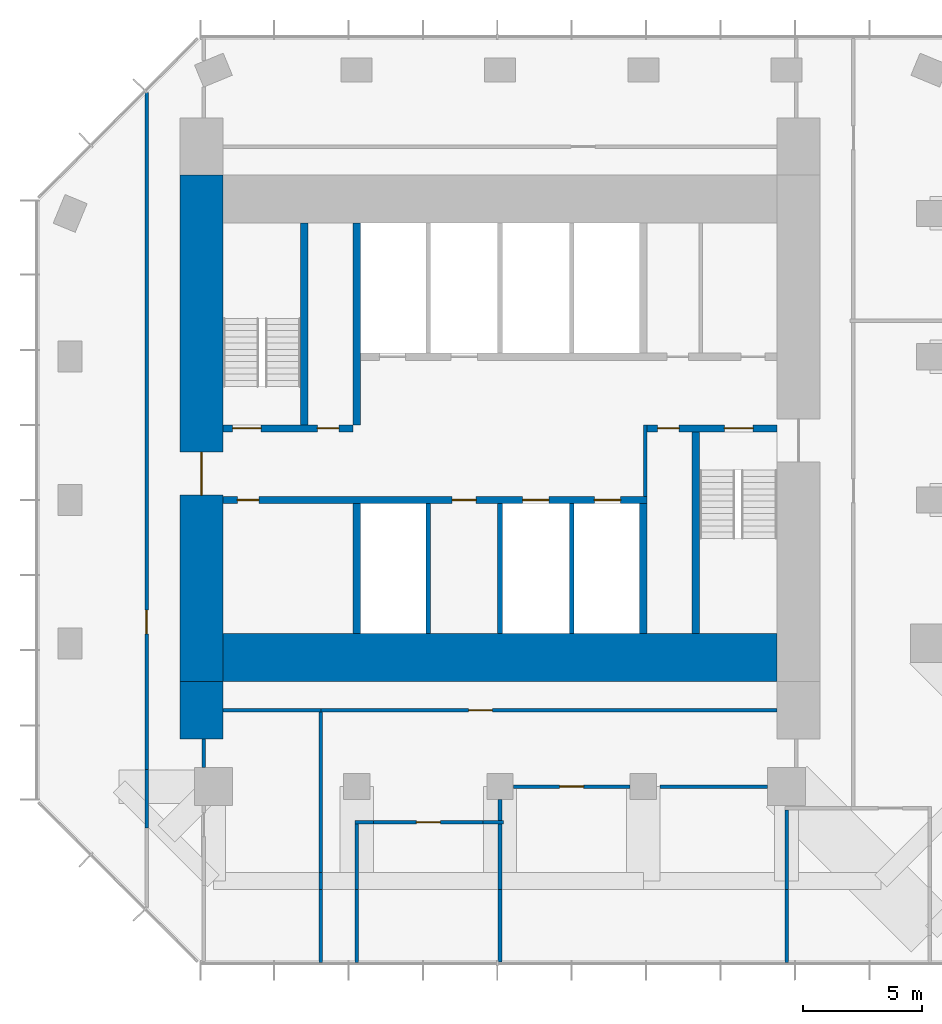
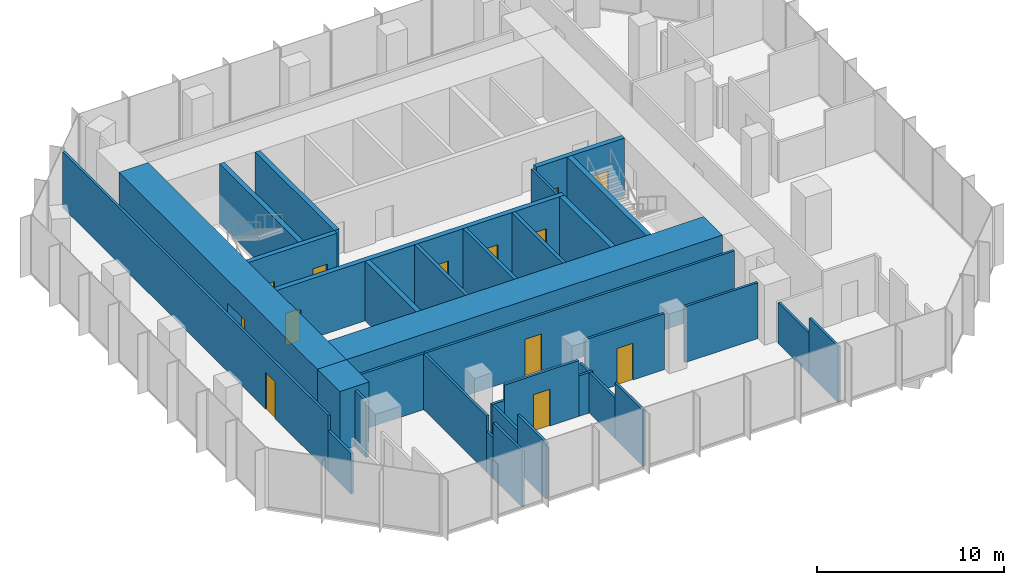
# One storey, part 8 of 11: 35 walls, 13 doors, 13 openings.
"""IFC4 building model written with IfcOpenShell, lengths in metres."""

import ifcopenshell
import ifcopenshell.guid

model = None  # the IFC model being written
_history = None  # IfcOwnerHistory: only IFC2X3 demands one
_inside = {}  # id of a spatial element -> (the spatial element, [elements in it])
_under = {}  # id of a project, library or spatial element -> (it, [spatial elements below it])
_declared = {}  # id of a project -> (the project, [libraries it declares])
_typed = {}  # id of a type object -> (the type object, [elements of that type])
_made_of = {}  # id of a material, layer set ... -> (it, [elements and type objects made of it])


def new_model(schema):
    """Start an empty IFC model of exactly this schema.

    Asked for "IFC4X3", IfcOpenShell would pick the latest addendum, in which some entities
    have other attributes; the version numbers below select the first issue.
    IFC2X3 requires an IfcOwnerHistory on every rooted entity: one is made here for all.
    """
    global model, _history
    if schema == "IFC4X3":
        model = ifcopenshell.file(schema_version=(4, 3, 0, 0))
    else:
        model = ifcopenshell.file(schema=schema)
    _inside.clear()
    _under.clear()
    _declared.clear()
    _typed.clear()
    _made_of.clear()
    _history = None
    if model.schema == "IFC2X3":
        org = make("IfcOrganization", Name="unknown")
        user = make(
            "IfcPersonAndOrganization",
            ThePerson=make("IfcPerson", FamilyName="unknown"),
            TheOrganization=org,
        )
        app = make(
            "IfcApplication",
            ApplicationDeveloper=org,
            Version="unknown",
            ApplicationFullName="unknown",
            ApplicationIdentifier="unknown",
        )
        _history = make(
            "IfcOwnerHistory",
            OwningUser=user,
            OwningApplication=app,
            ChangeAction="ADDED",
            CreationDate=0,
        )
    return model


def make(cls, **values):
    """One entity of the class cls with the attributes given. An attribute that is None is left unset."""
    return model.create_entity(
        cls, **{name: value for name, value in values.items() if value is not None}
    )


def rooted(cls, **values):
    """An entity with a GlobalId (a new one), such as an element, a storey or a relation."""
    return make(cls, GlobalId=ifcopenshell.guid.new(), OwnerHistory=_history, **values)


def si_unit(unit_type, name, prefix=None):
    """IfcSIUnit, for example si_unit("LENGTHUNIT", "METRE", prefix="MILLI")."""
    return make("IfcSIUnit", UnitType=unit_type, Prefix=prefix, Name=name)


def assignment(units):
    """IfcUnitAssignment: the units of a project."""
    return None if units is None else make("IfcUnitAssignment", Units=units)


def point(xyz):
    """IfcCartesianPoint."""
    return None if xyz is None else make("IfcCartesianPoint", Coordinates=xyz)


def direction(xyz):
    """IfcDirection."""
    return None if xyz is None else make("IfcDirection", DirectionRatios=xyz)


def frame(location, z_axis=None, x_axis=None):
    """IfcAxis2Placement3D, a coordinate frame: its origin and axes. An axis left out is left unset."""
    return make(
        "IfcAxis2Placement3D",
        Location=point(location),
        Axis=direction(z_axis),
        RefDirection=direction(x_axis),
    )


def frame_2d(location, x_axis=None):
    """IfcAxis2Placement2D, a coordinate frame in the plane: its origin and x axis."""
    return make(
        "IfcAxis2Placement2D", Location=point(location), RefDirection=direction(x_axis)
    )


def origin():
    """The frame at (0, 0, 0) with its axes left unset."""
    return frame((0.0, 0.0, 0.0))


def place(relative_to, where):
    """IfcLocalPlacement: puts the frame where relative to a parent placement (None: the world)."""
    return make(
        "IfcLocalPlacement", PlacementRelTo=relative_to, RelativePlacement=where
    )


def context(
    kind, dimensions, precision=None, world=None, true_north=None, identifier=None
):
    """IfcGeometricRepresentationContext, for example the 3D "Model" context."""
    return make(
        "IfcGeometricRepresentationContext",
        ContextIdentifier=identifier,
        ContextType=kind,
        CoordinateSpaceDimension=dimensions,
        Precision=precision,
        WorldCoordinateSystem=world,
        TrueNorth=true_north,
    )


def subcontext(parent, identifier, kind, view, scale=None):
    """IfcGeometricRepresentationSubContext, for example "Body" below "Model"."""
    return make(
        "IfcGeometricRepresentationSubContext",
        ContextIdentifier=identifier,
        ContextType=kind,
        ParentContext=parent,
        TargetScale=scale,
        TargetView=view,
    )


def project(units=None, contexts=None):
    """IfcProject with its units and contexts."""
    return rooted(
        "IfcProject",
        Name="project",
        RepresentationContexts=contexts,
        UnitsInContext=assignment(units),
    )


def spatial(cls, under=None, at=None, **own):
    """A site, building, storey or space (cls), placed at a placement, below another one or the project."""
    s = rooted(cls, ObjectPlacement=at, **own)
    if under is not None:
        _under.setdefault(under.id(), (under, []))[1].append(s)
    return s


def profile(cls, at=None, kind="AREA", **sizes):
    """A parametric profile (cls). Its sizes go by their IFC names, for example OverallWidth=200.0."""
    return make(cls, ProfileType=kind, Position=at, **sizes)


def rectangle(**sizes):
    """IfcRectangleProfileDef."""
    return profile("IfcRectangleProfileDef", **sizes)


def extrude(swept, where, along, depth):
    """IfcExtrudedAreaSolid: the profile swept, set in the frame where, extruded along a direction by depth."""
    return make(
        "IfcExtrudedAreaSolid",
        SweptArea=swept,
        Position=where,
        ExtrudedDirection=direction(along),
        Depth=depth,
    )


def shape(context_of_items, identifier, shape_type, items):
    """IfcShapeRepresentation: the items that make up one representation, for example the "Body"."""
    return make(
        "IfcShapeRepresentation",
        ContextOfItems=context_of_items,
        RepresentationIdentifier=identifier,
        RepresentationType=shape_type,
        Items=items,
    )


def material(Name=None, Category=None):
    """IfcMaterial."""
    return make("IfcMaterial", Name=Name, Category=Category)


def layer(
    of_material, thickness, ventilated=None, Name=None, Category=None, Priority=None
):
    """IfcMaterialLayer: one layer of a wall or slab, of a material (None: an air gap)."""
    return make(
        "IfcMaterialLayer",
        Material=of_material,
        LayerThickness=thickness,
        IsVentilated=ventilated,
        Name=Name,
        Category=Category,
        Priority=Priority,
    )


def layer_set(layers, Name=None):
    """IfcMaterialLayerSet."""
    return make("IfcMaterialLayerSet", MaterialLayers=layers, LayerSetName=Name)


def made_of(thing, what):
    """Note that an element or type object is made of a material, layer set ...; save() writes the relation."""
    if what is not None:
        _made_of.setdefault(what.id(), (what, []))[1].append(thing)
    return thing


def type_object(cls, material=None, **own):
    """A type object (cls), such as IfcWallType, which elements share."""
    return made_of(rooted(cls, **own), material)


def element(
    cls,
    number,
    at=None,
    inside=None,
    cuts=None,
    type_object=None,
    material=None,
    context=None,
    identifier="Body",
    shape_type=None,
    held_by="IfcProductDefinitionShape",
    body=None,
    shapes=None,
    **own,
):
    """One element of the class cls, such as IfcWall. Its Tag is "e" and its number.

    at: its placement. inside: the storey or other place that contains it. cuts: it is an
    opening in that element (IfcRelVoidsElement). A single representation is given by context,
    identifier, shape_type and body (its items); several are given by shapes. held_by: the class
    of the entity that holds the representations. save() writes the other relations.
    """
    e = rooted(cls, Tag="e%d" % number, ObjectPlacement=at, **own)
    if body is not None:
        shapes = [shape(context, identifier, shape_type, body)]
    if shapes is not None:
        e.Representation = make(held_by, Representations=shapes)
    if inside is not None:
        _inside.setdefault(inside.id(), (inside, []))[1].append(e)
    if cuts is not None:
        rooted(
            "IfcRelVoidsElement", RelatingBuildingElement=cuts, RelatedOpeningElement=e
        )
    if type_object is not None:
        _typed.setdefault(type_object.id(), (type_object, []))[1].append(e)
    return made_of(e, material)


def fill(opening, filler):
    """IfcRelFillsElement: the door or window that sits in an opening."""
    return rooted(
        "IfcRelFillsElement",
        RelatingOpeningElement=opening,
        RelatedBuildingElement=filler,
    )


def aggregate(whole, parts):
    """IfcRelAggregates: a whole, such as a stair, and the parts it consists of."""
    return rooted("IfcRelAggregates", RelatingObject=whole, RelatedObjects=parts)


def save(model, path):
    """Write the relations noted so far, then the file.

    IfcRelAggregates (storeys below a building ...), IfcRelContainedInSpatialStructure (elements
    in a storey), IfcRelDefinesByType, IfcRelAssociatesMaterial and IfcRelDeclares: one each for
    every whole, place, type object, material and project.
    """
    for whole, parts in _under.values():
        aggregate(whole, parts)
    for where, things in _inside.values():
        rooted(
            "IfcRelContainedInSpatialStructure",
            RelatedElements=things,
            RelatingStructure=where,
        )
    for kind, things in _typed.values():
        rooted("IfcRelDefinesByType", RelatedObjects=things, RelatingType=kind)
    for what, things in _made_of.values():
        rooted("IfcRelAssociatesMaterial", RelatedObjects=things, RelatingMaterial=what)
    for by, libraries in _declared.values():
        rooted("IfcRelDeclares", RelatingContext=by, RelatedDefinitions=libraries)
    model.write(path)


model = new_model("IFC4")

# Units and contexts
model_context = context("Model", 3, precision=1e-05, world=origin(), true_north=direction((0.0, 1.0)))
body_context = subcontext(model_context, "Body", "Model", "MODEL_VIEW")
ifc_project = project(units=[si_unit("LENGTHUNIT", "METRE"), si_unit("AREAUNIT", "SQUARE_METRE"), si_unit("VOLUMEUNIT", "CUBIC_METRE"), si_unit("PLANEANGLEUNIT", "RADIAN"), si_unit("MASSUNIT", "GRAM", prefix="KILO")], contexts=[model_context])

# Site, building, storey
site_placement = place(None, origin())
site = spatial("IfcSite", under=ifc_project, at=site_placement, CompositionType="ELEMENT")
building_placement = place(site_placement, origin())
building = spatial("IfcBuilding", under=site, at=building_placement, Name="Highveld Stack Headquarters", CompositionType="ELEMENT")
storey_placement = place(building_placement, frame((0.0, 0.0, 287.89990234375)))
storey = spatial("IfcBuildingStorey", under=building, at=storey_placement, Name="L71", CompositionType="ELEMENT", Elevation=287.89990234375)

# Wall, opening, door
ifc_material_1 = material(Name="Concrete C60/75", Category="concrete")
ifc_layer_1 = layer(ifc_material_1, 1.800048828125)
ifc_layer_set_1 = layer_set([ifc_layer_1], Name="Concrete C60/75")
wall_type_1 = type_object("IfcWallType", Name="CORE WALL 1800 C60/75", PredefinedType="SHEAR", material=ifc_layer_set_1)
wall_1_placement = place(storey_placement, frame((-6.5, -7.60009765625, 0.0), z_axis=(0.0, 0.0, 1.0), x_axis=(0.0, 1.0, 0.0)))
wall_1 = element("IfcWall", 1, at=wall_1_placement, inside=storey, type_object=wall_type_1, Name="Core wall W L71", PredefinedType="SHEAR", context=body_context, shape_type="SweptSolid", body=[
    extrude(rectangle(XDim=21.2001953125, YDim=1.800048828125, at=frame_2d((10.60009765625, 0.0))), origin(), (0.0, 0.0, 1.0), 3.900146484375),
])
opening_1_placement = place(wall_1_placement, frame((7.800048828125, 0.0, 0.0)))
opening_1 = element("IfcOpeningElement", 2, at=opening_1_placement, cuts=wall_1, Name="Opening L71-01", PredefinedType="OPENING", context=body_context, shape_type="SweptSolid", body=[
    extrude(rectangle(XDim=1.800048828125, YDim=2.39990234375, at=frame_2d((0.89990234375, 1.199951171875))), frame((0.0, 0.909912109375, 0.0), z_axis=(0.0, -1.0, 0.0), x_axis=(1.0, 0.0, 0.0)), (0.0, 0.0, 1.0), 1.820068359375),
])
ifc_material_2 = material(Name="Steel fire door", Category="steel")
door_type_1 = type_object("IfcDoorType", Name="LOBBY FIRE DOOR D4 1800x2400", OperationType="DOUBLE_DOOR_SINGLE_SWING", PredefinedType="DOOR", material=ifc_material_2)
door_1_placement = place(opening_1_placement, origin())
door_1 = element("IfcDoor", 3, at=door_1_placement, inside=storey, type_object=door_type_1, Name="Core west door L71", OperationType="DOUBLE_DOOR_SINGLE_SWING", OverallHeight=2.39990234375, OverallWidth=1.800048828125, PredefinedType="DOOR", context=body_context, shape_type="SweptSolid", body=[
    extrude(rectangle(XDim=1.800048828125, YDim=2.39990234375, at=frame_2d((0.89990234375, 1.199951171875))), frame((0.0, 0.02490234375, 0.0), z_axis=(0.0, -1.0, 0.0), x_axis=(1.0, 0.0, 0.0)), (0.0, 0.0, 1.0), 0.050048828125),
])
fill(opening_1, door_1)

# Wall
ifc_material_3 = material(Name="Concrete C60/75", Category="concrete")
ifc_layer_2 = layer(ifc_material_3, 2.0)
ifc_layer_set_2 = layer_set([ifc_layer_2], Name="Concrete C60/75")
wall_type_2 = type_object("IfcWallType", Name="CORE WALL 2000 C60/75", PredefinedType="SHEAR", material=ifc_layer_set_2)
wall_2_placement = place(storey_placement, frame((-5.60009765625, -6.60009765625, 0.0), z_axis=(0.0, 0.0, 1.0), x_axis=(1.0, 0.0, 0.0)))
element("IfcWall", 4, at=wall_2_placement, inside=storey, type_object=wall_type_2, Name="Core wall S L71", PredefinedType="SHEAR", context=body_context, shape_type="SweptSolid", body=[
    extrude(rectangle(XDim=23.2001953125, YDim=2.0, at=frame_2d((11.60009765625, 0.0))), origin(), (0.0, 0.0, 1.0), 3.900146484375),
])

# Wall, openings, doors
ifc_material_4 = material(Name="Concrete C60/75", Category="concrete")
ifc_layer_3 = layer(ifc_material_4, 0.300048828125)
ifc_layer_set_3 = layer_set([ifc_layer_3], Name="Concrete C60/75")
wall_type_3 = type_object("IfcWallType", Name="CORE WALL 300 C60/75", PredefinedType="SHEAR", material=ifc_layer_set_3)
wall_3_placement = place(storey_placement, frame((-5.60009765625, 0.0, 0.0), z_axis=(0.0, 0.0, 1.0), x_axis=(1.0, 0.0, 0.0)))
wall_3 = element("IfcWall", 5, at=wall_3_placement, inside=storey, type_object=wall_type_3, Name="Core wall I-Y0 L71", PredefinedType="SHEAR", context=body_context, shape_type="SweptSolid", body=[
    extrude(rectangle(XDim=17.75, YDim=0.300048828125, at=frame_2d((8.875, 0.0))), origin(), (0.0, 0.0, 1.0), 3.900146484375),
])
opening_2_placement = place(wall_3_placement, frame((0.60009765625, 0.0, 0.0)))
opening_2 = element("IfcOpeningElement", 6, at=opening_2_placement, cuts=wall_3, Name="Opening L71-07", PredefinedType="OPENING", context=body_context, shape_type="SweptSolid", body=[
    extrude(rectangle(XDim=0.89990234375, YDim=2.10009765625, at=frame_2d((0.449951171875, 1.050048828125))), frame((0.0, 0.159912109375, 0.0), z_axis=(0.0, -1.0, 0.0), x_axis=(1.0, 0.0, 0.0)), (0.0, 0.0, 1.0), 0.320068359375),
])
opening_3_placement = place(wall_3_placement, frame((9.60009765625, 0.0, 0.0)))
opening_3 = element("IfcOpeningElement", 7, at=opening_3_placement, cuts=wall_3, Name="Opening L71-10", PredefinedType="OPENING", context=body_context, shape_type="SweptSolid", body=[
    extrude(rectangle(XDim=1.0, YDim=2.10009765625, at=frame_2d((0.5, 1.050048828125))), frame((0.0, 0.159912109375, 0.0), z_axis=(0.0, -1.0, 0.0), x_axis=(1.0, 0.0, 0.0)), (0.0, 0.0, 1.0), 0.320068359375),
])
opening_4_placement = place(wall_3_placement, frame((12.550048828125, 0.0, 0.0)))
opening_4 = element("IfcOpeningElement", 8, at=opening_4_placement, cuts=wall_3, Name="Opening LD", PredefinedType="OPENING", context=body_context, shape_type="SweptSolid", body=[
    extrude(rectangle(XDim=1.10009765625, YDim=2.10009765625, at=frame_2d((0.550048828125, 1.050048828125))), frame((0.0, 0.159912109375, 0.0), z_axis=(0.0, -1.0, 0.0), x_axis=(1.0, 0.0, 0.0)), (0.0, 0.0, 1.0), 0.320068359375),
])
opening_5_placement = place(wall_3_placement, frame((15.550048828125, 0.0, 0.0)))
opening_5 = element("IfcOpeningElement", 9, at=opening_5_placement, cuts=wall_3, Name="Opening LD", PredefinedType="OPENING", context=body_context, shape_type="SweptSolid", body=[
    extrude(rectangle(XDim=1.10009765625, YDim=2.10009765625, at=frame_2d((0.550048828125, 1.050048828125))), frame((0.0, 0.159912109375, 0.0), z_axis=(0.0, -1.0, 0.0), x_axis=(1.0, 0.0, 0.0)), (0.0, 0.0, 1.0), 0.320068359375),
])
ifc_material_5 = material(Name="Steel fire door", Category="steel")
door_type_2 = type_object("IfcDoorType", Name="CORE ROOM FIRE DOOR D14 1000x2100", OperationType="SINGLE_SWING_LEFT", PredefinedType="DOOR", material=ifc_material_5)
door_2_placement = place(opening_3_placement, origin())
door_2 = element("IfcDoor", 10, at=door_2_placement, inside=storey, type_object=door_type_2, Name="Capped B 1 door L71", OperationType="SINGLE_SWING_RIGHT", OverallHeight=2.10009765625, OverallWidth=1.0, PredefinedType="DOOR", context=body_context, shape_type="SweptSolid", body=[
    extrude(rectangle(XDim=1.0, YDim=2.10009765625, at=frame_2d((0.5, 1.050048828125))), frame((0.0, 0.02490234375, 0.0), z_axis=(0.0, -1.0, 0.0), x_axis=(1.0, 0.0, 0.0)), (0.0, 0.0, 1.0), 0.050048828125),
])
fill(opening_3, door_2)
ifc_material_6 = material(Name="Stainless steel lift landing door", Category="steel")
door_type_3 = type_object("IfcDoorType", Name="LIFT LANDING DOOR LD 1100x2100", OperationType="DOUBLE_DOOR_SLIDING", PredefinedType="USERDEFINED", material=ifc_material_6)
door_3_placement = place(opening_4_placement, origin())
door_3 = element("IfcDoor", 11, at=door_3_placement, inside=storey, type_object=door_type_3, Name="Lift landing door C1 L71", ObjectType="LIFT LANDING DOOR", OperationType="DOUBLE_DOOR_SLIDING", OverallHeight=2.10009765625, OverallWidth=1.10009765625, PredefinedType="USERDEFINED", context=body_context, shape_type="SweptSolid", body=[
    extrude(rectangle(XDim=1.10009765625, YDim=2.10009765625, at=frame_2d((0.550048828125, 1.050048828125))), frame((0.0, 0.02490234375, 0.0), z_axis=(0.0, -1.0, 0.0), x_axis=(1.0, 0.0, 0.0)), (0.0, 0.0, 1.0), 0.050048828125),
])
fill(opening_4, door_3)
door_4_placement = place(opening_5_placement, origin())
door_4 = element("IfcDoor", 12, at=door_4_placement, inside=storey, type_object=door_type_3, Name="Lift landing door C2 L71", ObjectType="LIFT LANDING DOOR", OperationType="DOUBLE_DOOR_SLIDING", OverallHeight=2.10009765625, OverallWidth=1.10009765625, PredefinedType="USERDEFINED", context=body_context, shape_type="SweptSolid", body=[
    extrude(rectangle(XDim=1.10009765625, YDim=2.10009765625, at=frame_2d((0.550048828125, 1.050048828125))), frame((0.0, 0.02490234375, 0.0), z_axis=(0.0, -1.0, 0.0), x_axis=(1.0, 0.0, 0.0)), (0.0, 0.0, 1.0), 0.050048828125),
])
fill(opening_5, door_4)
ifc_material_7 = material(Name="Timber door, painted", Category="wood")
door_type_4 = type_object("IfcDoorType", Name="WC DOOR D1 900x2100", OperationType="SINGLE_SWING_LEFT", PredefinedType="DOOR", material=ifc_material_7)
door_5_placement = place(opening_2_placement, origin())
door_5 = element("IfcDoor", 13, at=door_5_placement, inside=storey, type_object=door_type_4, Name="Female WC door L71", OperationType="SINGLE_SWING_LEFT", OverallHeight=2.10009765625, OverallWidth=0.89990234375, PredefinedType="DOOR", context=body_context, shape_type="SweptSolid", body=[
    extrude(rectangle(XDim=0.89990234375, YDim=2.10009765625, at=frame_2d((0.449951171875, 1.050048828125))), frame((0.0, 0.02490234375, 0.0), z_axis=(0.0, -1.0, 0.0), x_axis=(1.0, 0.0, 0.0)), (0.0, 0.0, 1.0), 0.050048828125),
])
fill(opening_2, door_5)

wall_4_placement = place(storey_placement, frame((-5.60009765625, 3.0, 0.0), z_axis=(0.0, 0.0, 1.0), x_axis=(1.0, 0.0, 0.0)))
wall_4 = element("IfcWall", 14, at=wall_4_placement, inside=storey, type_object=wall_type_3, Name="Core wall I-Y3W L71", PredefinedType="SHEAR", context=body_context, shape_type="SweptSolid", body=[
    extrude(rectangle(XDim=5.4501953125, YDim=0.300048828125, at=frame_2d((2.72509765625, 0.0))), origin(), (0.0, 0.0, 1.0), 3.900146484375),
])
opening_6_placement = place(wall_4_placement, frame((0.39990234375, 0.0, 0.0)))
opening_6 = element("IfcOpeningElement", 15, at=opening_6_placement, cuts=wall_4, Name="Opening L71-03", PredefinedType="OPENING", context=body_context, shape_type="SweptSolid", body=[
    extrude(rectangle(XDim=1.199951171875, YDim=2.10009765625, at=frame_2d((0.60009765625, 1.050048828125))), frame((0.0, 0.159912109375, 0.0), z_axis=(0.0, -1.0, 0.0), x_axis=(1.0, 0.0, 0.0)), (0.0, 0.0, 1.0), 0.320068359375),
])
opening_7_placement = place(wall_4_placement, frame((3.949951171875, 0.0, 0.0)))
opening_7 = element("IfcOpeningElement", 16, at=opening_7_placement, cuts=wall_4, Name="Opening L71-04", PredefinedType="OPENING", context=body_context, shape_type="SweptSolid", body=[
    extrude(rectangle(XDim=0.89990234375, YDim=2.10009765625, at=frame_2d((0.449951171875, 1.050048828125))), frame((0.0, 0.159912109375, 0.0), z_axis=(0.0, -1.0, 0.0), x_axis=(1.0, 0.0, 0.0)), (0.0, 0.0, 1.0), 0.320068359375),
])
ifc_material_8 = material(Name="Steel fire door", Category="steel")
door_type_5 = type_object("IfcDoorType", Name="RISER ACCESS DOOR D5 900x2100", OperationType="SINGLE_SWING_LEFT", PredefinedType="DOOR", material=ifc_material_8)
door_6_placement = place(opening_7_placement, origin())
door_6 = element("IfcDoor", 17, at=door_6_placement, inside=storey, type_object=door_type_5, Name="Riser R1 door L71", OperationType="SINGLE_SWING_RIGHT", OverallHeight=2.10009765625, OverallWidth=0.89990234375, PredefinedType="DOOR", context=body_context, shape_type="SweptSolid", body=[
    extrude(rectangle(XDim=0.89990234375, YDim=2.10009765625, at=frame_2d((0.449951171875, 1.050048828125))), frame((0.0, 0.02490234375, 0.0), z_axis=(0.0, -1.0, 0.0), x_axis=(1.0, 0.0, 0.0)), (0.0, 0.0, 1.0), 0.050048828125),
])
fill(opening_7, door_6)
ifc_material_9 = material(Name="Steel fire door", Category="steel")
door_type_6 = type_object("IfcDoorType", Name="STAIR FIRE DOOR D3 1200x2100", OperationType="SINGLE_SWING_LEFT", PredefinedType="DOOR", material=ifc_material_9)
door_7_placement = place(opening_6_placement, origin())
door_7 = element("IfcDoor", 18, at=door_7_placement, inside=storey, type_object=door_type_6, Name="Stair S1 door L71", OperationType="SINGLE_SWING_LEFT", OverallHeight=2.10009765625, OverallWidth=1.199951171875, PredefinedType="DOOR", context=body_context, shape_type="SweptSolid", body=[
    extrude(rectangle(XDim=1.199951171875, YDim=2.10009765625, at=frame_2d((0.60009765625, 1.050048828125))), frame((0.0, 0.02490234375, 0.0), z_axis=(0.0, -1.0, 0.0), x_axis=(1.0, 0.0, 0.0)), (0.0, 0.0, 1.0), 0.050048828125),
])
fill(opening_6, door_7)

wall_5_placement = place(storey_placement, frame((12.14990234375, 3.0, 0.0), z_axis=(0.0, 0.0, 1.0), x_axis=(1.0, 0.0, 0.0)))
wall_5 = element("IfcWall", 19, at=wall_5_placement, inside=storey, type_object=wall_type_3, Name="Core wall I-Y3E L71", PredefinedType="SHEAR", context=body_context, shape_type="SweptSolid", body=[
    extrude(rectangle(XDim=5.4501953125, YDim=0.300048828125, at=frame_2d((2.72509765625, 0.0))), origin(), (0.0, 0.0, 1.0), 3.900146484375),
])
opening_8_placement = place(wall_5_placement, frame((3.25, 0.0, 0.0)))
opening_8 = element("IfcOpeningElement", 20, at=opening_8_placement, cuts=wall_5, Name="Opening L71-05", PredefinedType="OPENING", context=body_context, shape_type="SweptSolid", body=[
    extrude(rectangle(XDim=1.199951171875, YDim=2.10009765625, at=frame_2d((0.60009765625, 1.050048828125))), frame((0.0, 0.159912109375, 0.0), z_axis=(0.0, -1.0, 0.0), x_axis=(1.0, 0.0, 0.0)), (0.0, 0.0, 1.0), 0.320068359375),
])
opening_9_placement = place(wall_5_placement, frame((0.449951171875, 0.0, 0.0)))
opening_9 = element("IfcOpeningElement", 21, at=opening_9_placement, cuts=wall_5, Name="Opening L71-06", PredefinedType="OPENING", context=body_context, shape_type="SweptSolid", body=[
    extrude(rectangle(XDim=0.89990234375, YDim=2.10009765625, at=frame_2d((0.449951171875, 1.050048828125))), frame((0.0, 0.159912109375, 0.0), z_axis=(0.0, -1.0, 0.0), x_axis=(1.0, 0.0, 0.0)), (0.0, 0.0, 1.0), 0.320068359375),
])
door_8_placement = place(opening_9_placement, origin())
door_8 = element("IfcDoor", 22, at=door_8_placement, inside=storey, type_object=door_type_5, Name="Riser R2 door L71", OperationType="SINGLE_SWING_LEFT", OverallHeight=2.10009765625, OverallWidth=0.89990234375, PredefinedType="DOOR", context=body_context, shape_type="SweptSolid", body=[
    extrude(rectangle(XDim=0.89990234375, YDim=2.10009765625, at=frame_2d((0.449951171875, 1.050048828125))), frame((0.0, 0.02490234375, 0.0), z_axis=(0.0, -1.0, 0.0), x_axis=(1.0, 0.0, 0.0)), (0.0, 0.0, 1.0), 0.050048828125),
])
fill(opening_9, door_8)
door_9_placement = place(opening_8_placement, origin())
door_9 = element("IfcDoor", 23, at=door_9_placement, inside=storey, type_object=door_type_6, Name="Stair S2 door L71", OperationType="SINGLE_SWING_RIGHT", OverallHeight=2.10009765625, OverallWidth=1.199951171875, PredefinedType="DOOR", context=body_context, shape_type="SweptSolid", body=[
    extrude(rectangle(XDim=1.199951171875, YDim=2.10009765625, at=frame_2d((0.60009765625, 1.050048828125))), frame((0.0, 0.02490234375, 0.0), z_axis=(0.0, -1.0, 0.0), x_axis=(1.0, 0.0, 0.0)), (0.0, 0.0, 1.0), 0.050048828125),
])
fill(opening_8, door_9)

# Walls
wall_6_placement = place(storey_placement, frame((0.0, -5.60009765625, 0.0), z_axis=(0.0, 0.0, 1.0), x_axis=(0.0, 1.0, 0.0)))
element("IfcWall", 24, at=wall_6_placement, inside=storey, type_object=wall_type_3, Name="Core wall I-X0S L71", PredefinedType="SHEAR", context=body_context, shape_type="SweptSolid", body=[
    extrude(rectangle(XDim=5.4501953125, YDim=0.300048828125, at=frame_2d((2.72509765625, 0.0))), origin(), (0.0, 0.0, 1.0), 3.900146484375),
])
wall_7_placement = place(storey_placement, frame((0.0, 3.14990234375, 0.0), z_axis=(0.0, 0.0, 1.0), x_axis=(0.0, 1.0, 0.0)))
element("IfcWall", 25, at=wall_7_placement, inside=storey, type_object=wall_type_3, Name="Core wall I-X0N L71", PredefinedType="SHEAR", context=body_context, shape_type="SweptSolid", body=[
    extrude(rectangle(XDim=8.4501953125, YDim=0.300048828125, at=frame_2d((4.22509765625, 0.0))), origin(), (0.0, 0.0, 1.0), 3.900146484375),
])
wall_8_placement = place(storey_placement, frame((12.0, -5.60009765625, 0.0), z_axis=(0.0, 0.0, 1.0), x_axis=(0.0, 1.0, 0.0)))
element("IfcWall", 26, at=wall_8_placement, inside=storey, type_object=wall_type_3, Name="Core wall I-X12S L71", PredefinedType="SHEAR", context=body_context, shape_type="SweptSolid", body=[
    extrude(rectangle(XDim=5.4501953125, YDim=0.300048828125, at=frame_2d((2.72509765625, 0.0))), origin(), (0.0, 0.0, 1.0), 3.900146484375),
])
for number, where, z_axis, x_axis, name in (
    (27, (-2.199951171875, 3.14990234375, 0.0), (0.0, 0.0, 1.0), (0.0, 1.0, 0.0), "Core wall I-RW L71"),
    (28, (14.199951171875, -5.60009765625, 0.0), (0.0, 0.0, 1.0), (0.0, 1.0, 0.0), "Core wall I-RE L71"),
):
    element("IfcWall", number, at=place(storey_placement, frame(where, z_axis=z_axis, x_axis=x_axis)), inside=storey, type_object=wall_type_3, Name=name, PredefinedType="SHEAR", context=body_context, shape_type="SweptSolid", body=[
        extrude(rectangle(XDim=8.4501953125, YDim=0.300048828125, at=frame_2d((4.22509765625, 0.0))), origin(), (0.0, 0.0, 1.0), 3.900146484375),
    ])
ifc_material_10 = material(Name="Concrete C60/75", Category="concrete")
ifc_layer_4 = layer(ifc_material_10, 1.800048828125)
ifc_layer_set_4 = layer_set([ifc_layer_4], Name="Concrete C60/75")
wall_type_4 = type_object("IfcWallType", Name="CORE WING WALL 1800 C60/75", PredefinedType="SHEAR", material=ifc_layer_set_4)
wall_9_placement = place(storey_placement, frame((-6.5, -10.0, 0.0), z_axis=(0.0, 0.0, 1.0), x_axis=(0.0, 1.0, 0.0)))
element("IfcWall", 29, at=wall_9_placement, inside=storey, type_object=wall_type_4, Name="Core wing wall WS L71", PredefinedType="SHEAR", context=body_context, shape_type="SweptSolid", body=[
    extrude(rectangle(XDim=2.39990234375, YDim=1.800048828125, at=frame_2d((1.199951171875, 0.0))), origin(), (0.0, 0.0, 1.0), 3.900146484375),
])
ifc_material_11 = material(Name="Concrete blockwork, plastered", Category="masonry")
ifc_layer_5 = layer(ifc_material_11, 0.14990234375)
ifc_layer_set_5 = layer_set([ifc_layer_5], Name="Concrete blockwork, plastered")
wall_type_5 = type_object("IfcWallType", Name="FIRE PARTITION 150 BLOCKWORK", PredefinedType="PARTITIONING", material=ifc_layer_set_5)
wall_10_placement = place(storey_placement, frame((12.074951171875, 0.14990234375, 0.0), z_axis=(0.0, 0.0, 1.0), x_axis=(0.0, 1.0, 0.0)))
element("IfcWall", 30, at=wall_10_placement, inside=storey, type_object=wall_type_5, Name="Riser R2 enclosure L71", PredefinedType="PARTITIONING", context=body_context, shape_type="SweptSolid", body=[
    extrude(rectangle(XDim=3.0, YDim=0.14990234375, at=frame_2d((1.5, 0.0))), origin(), (0.0, 0.0, 1.0), 3.650146484375),
])

# Wall, opening, door
ifc_material_12 = material(Name="Laminated glass in aluminium frame", Category="aluminium")
ifc_layer_6 = layer(ifc_material_12, 0.14990234375)
ifc_layer_set_6 = layer_set([ifc_layer_6], Name="Laminated glass in aluminium frame")
wall_type_6 = type_object("IfcWallType", Name="GLAZED PARTITION 150", PredefinedType="PARTITIONING", material=ifc_layer_set_6)
wall_11_placement = place(storey_placement, frame((6.56005859375, -12.0, 0.0), z_axis=(0.0, 0.0, 1.0), x_axis=(1.0, 0.0, 0.0)))
wall_11 = element("IfcWall", 31, at=wall_11_placement, inside=storey, type_object=wall_type_6, Name="Glazed partition Executive meeting room L71", PredefinedType="PARTITIONING", context=body_context, shape_type="SweptSolid", body=[
    extrude(rectangle(XDim=4.8798828125, YDim=0.14990234375, at=frame_2d((2.43994140625, 0.0))), origin(), (0.0, 0.0, 1.0), 3.650146484375),
])
opening_10_placement = place(wall_11_placement, frame((1.93994140625, 0.0, 0.0)))
opening_10 = element("IfcOpeningElement", 32, at=opening_10_placement, cuts=wall_11, Name="Opening L71-12", PredefinedType="OPENING", context=body_context, shape_type="SweptSolid", body=[
    extrude(rectangle(XDim=1.0, YDim=2.39990234375, at=frame_2d((0.5, 1.199951171875))), frame((0.0, 0.0849609375, 0.0), z_axis=(0.0, -1.0, 0.0), x_axis=(1.0, 0.0, 0.0)), (0.0, 0.0, 1.0), 0.169921875),
])
ifc_material_13 = material(Name="Timber door, oiled ash", Category="wood")
door_type_7 = type_object("IfcDoorType", Name="ROOM DOOR D11 1000x2400", OperationType="SINGLE_SWING_LEFT", PredefinedType="DOOR", material=ifc_material_13)
door_10_placement = place(opening_10_placement, origin())
door_10 = element("IfcDoor", 33, at=door_10_placement, inside=storey, type_object=door_type_7, Name="Executive meeting room door 1 L71", OperationType="SINGLE_SWING_RIGHT", OverallHeight=2.39990234375, OverallWidth=1.0, PredefinedType="DOOR", context=body_context, shape_type="SweptSolid", body=[
    extrude(rectangle(XDim=1.0, YDim=2.39990234375, at=frame_2d((0.5, 1.199951171875))), frame((0.0, 0.02490234375, 0.0), z_axis=(0.0, -1.0, 0.0), x_axis=(1.0, 0.0, 0.0)), (0.0, 0.0, 1.0), 0.050048828125),
])
fill(opening_10, door_10)

# Walls
wall_12_placement = place(storey_placement, frame((12.7099609375, -12.0, 0.0), z_axis=(0.0, 0.0, 1.0), x_axis=(1.0, 0.0, 0.0)))
element("IfcWall", 34, at=wall_12_placement, inside=storey, type_object=wall_type_6, Name="Glazed partition Executive meeting room L71", PredefinedType="PARTITIONING", context=body_context, shape_type="SweptSolid", body=[
    extrude(rectangle(XDim=4.489990234375, YDim=0.14990234375, at=frame_2d((2.2451171875, 0.0))), origin(), (0.0, 0.0, 1.0), 3.650146484375),
])
ifc_material_14 = material(Name="Concrete blockwork, fair-faced", Category="masonry")
ifc_layer_7 = layer(ifc_material_14, 0.199951171875)
ifc_layer_set_7 = layer_set([ifc_layer_7], Name="Concrete blockwork, fair-faced")
wall_type_7 = type_object("IfcWallType", Name="LIFT SHAFT ENCLOSURE WALL 200 BLOCKWORK", PredefinedType="SOLIDWALL", material=ifc_layer_set_7)
for number, where, z_axis, x_axis, name in (
    (35, (3.0, -5.60009765625, 0.0), (0.0, 0.0, 1.0), (0.0, 1.0, 0.0), "Lift shaft wall L71"),
    (36, (6.0, -5.60009765625, 0.0), (0.0, 0.0, 1.0), (0.0, 1.0, 0.0), "Lift shaft wall L71"),
    (37, (9.0, -5.60009765625, 0.0), (0.0, 0.0, 1.0), (0.0, 1.0, 0.0), "Lift shaft wall L71"),
):
    element("IfcWall", number, at=place(storey_placement, frame(where, z_axis=z_axis, x_axis=x_axis)), inside=storey, type_object=wall_type_7, Name=name, PredefinedType="SOLIDWALL", context=body_context, shape_type="SweptSolid", body=[
        extrude(rectangle(XDim=5.4501953125, YDim=0.199951171875, at=frame_2d((2.72509765625, 0.0))), origin(), (0.0, 0.0, 1.0), 3.900146484375),
    ])
ifc_material_15 = material(Name="Gypsum plasterboard on steel studs", Category="steel")
ifc_layer_8 = layer(ifc_material_15, 0.14990234375)
ifc_layer_set_8 = layer_set([ifc_layer_8], Name="Gypsum plasterboard on steel studs")
wall_type_8 = type_object("IfcWallType", Name="PARTITION 150 PLASTERBOARD", PredefinedType="PARTITIONING", material=ifc_layer_set_8)
wall_13_placement = place(storey_placement, frame((-0.074951171875, -13.5, 0.0), z_axis=(0.0, 0.0, 1.0), x_axis=(1.0, 0.0, 0.0)))
element("IfcWall", 38, at=wall_13_placement, inside=storey, type_object=wall_type_8, Name="Partition Quiet room L71", PredefinedType="PARTITIONING", context=body_context, shape_type="SweptSolid", body=[
    extrude(rectangle(XDim=0.784912109375, YDim=0.14990234375, at=frame_2d((0.392578125, 0.0))), origin(), (0.0, 0.0, 1.0), 2.650146484375),
])

# Wall, opening, door
wall_14_placement = place(storey_placement, frame((0.7099609375, -13.5, 0.0), z_axis=(0.0, 0.0, 1.0), x_axis=(1.0, 0.0, 0.0)))
wall_14 = element("IfcWall", 39, at=wall_14_placement, inside=storey, type_object=wall_type_8, Name="Partition Quiet room L71", PredefinedType="PARTITIONING", context=body_context, shape_type="SweptSolid", body=[
    extrude(rectangle(XDim=4.580078125, YDim=0.14990234375, at=frame_2d((2.2900390625, 0.0))), origin(), (0.0, 0.0, 1.0), 3.650146484375),
])
opening_11_placement = place(wall_14_placement, frame((1.7900390625, 0.0, 0.0)))
opening_11 = element("IfcOpeningElement", 40, at=opening_11_placement, cuts=wall_14, Name="Opening L71-11", PredefinedType="OPENING", context=body_context, shape_type="SweptSolid", body=[
    extrude(rectangle(XDim=1.0, YDim=2.39990234375, at=frame_2d((0.5, 1.199951171875))), frame((0.0, 0.0849609375, 0.0), z_axis=(0.0, -1.0, 0.0), x_axis=(1.0, 0.0, 0.0)), (0.0, 0.0, 1.0), 0.169921875),
])
door_11_placement = place(opening_11_placement, origin())
door_11 = element("IfcDoor", 41, at=door_11_placement, inside=storey, type_object=door_type_7, Name="Quiet room door 1 L71", OperationType="SINGLE_SWING_LEFT", OverallHeight=2.39990234375, OverallWidth=1.0, PredefinedType="DOOR", context=body_context, shape_type="SweptSolid", body=[
    extrude(rectangle(XDim=1.0, YDim=2.39990234375, at=frame_2d((0.5, 1.199951171875))), frame((0.0, 0.02490234375, 0.0), z_axis=(0.0, -1.0, 0.0), x_axis=(1.0, 0.0, 0.0)), (0.0, 0.0, 1.0), 0.050048828125),
])
fill(opening_11, door_11)

# Walls
wall_15_placement = place(storey_placement, frame((5.2900390625, -13.5, 0.0), z_axis=(0.0, 0.0, 1.0), x_axis=(1.0, 0.0, 0.0)))
element("IfcWall", 42, at=wall_15_placement, inside=storey, type_object=wall_type_8, Name="Partition Quiet room L71", PredefinedType="PARTITIONING", context=body_context, shape_type="SweptSolid", body=[
    extrude(rectangle(XDim=0.85986328125, YDim=0.14990234375, at=frame_2d((0.429931640625, 0.0))), origin(), (0.0, 0.0, 1.0), 2.650146484375),
])
wall_16_placement = place(storey_placement, frame((0.0, -19.375, 0.0), z_axis=(0.0, 0.0, 1.0), x_axis=(0.0, 1.0, 0.0)))
element("IfcWall", 43, at=wall_16_placement, inside=storey, type_object=wall_type_8, Name="Partition Quiet room L71", PredefinedType="PARTITIONING", context=body_context, shape_type="SweptSolid", body=[
    extrude(rectangle(XDim=3.06494140625, YDim=0.14990234375, at=frame_2d((1.532470703125, 0.0))), origin(), (0.0, 0.0, 1.0), 3.650146484375),
])
wall_17_placement = place(storey_placement, frame((0.0, -16.31005859375, 0.0), z_axis=(0.0, 0.0, 1.0), x_axis=(0.0, 1.0, 0.0)))
element("IfcWall", 44, at=wall_17_placement, inside=storey, type_object=wall_type_8, Name="Partition Quiet room L71", PredefinedType="PARTITIONING", context=body_context, shape_type="SweptSolid", body=[
    extrude(rectangle(XDim=2.735107421875, YDim=0.14990234375, at=frame_2d((1.36767578125, 0.0))), origin(), (0.0, 0.0, 1.0), 2.650146484375),
])
wall_18_placement = place(storey_placement, frame((6.0, -19.35009765625, 0.0), z_axis=(0.0, 0.0, 1.0), x_axis=(0.0, 1.0, 0.0)))
element("IfcWall", 45, at=wall_18_placement, inside=storey, type_object=wall_type_8, Name="Partition Executive meeting room / Quiet room L71", PredefinedType="PARTITIONING", context=body_context, shape_type="SweptSolid", body=[
    extrude(rectangle(XDim=3.0400390625, YDim=0.14990234375, at=frame_2d((1.52001953125, 0.0))), origin(), (0.0, 0.0, 1.0), 3.650146484375),
])
wall_19_placement = place(storey_placement, frame((6.0, -16.31005859375, 0.0), z_axis=(0.0, 0.0, 1.0), x_axis=(0.0, 1.0, 0.0)))
element("IfcWall", 46, at=wall_19_placement, inside=storey, type_object=wall_type_8, Name="Partition Executive meeting room / Quiet room L71", PredefinedType="PARTITIONING", context=body_context, shape_type="SweptSolid", body=[
    extrude(rectangle(XDim=2.735107421875, YDim=0.14990234375, at=frame_2d((1.36767578125, 0.0))), origin(), (0.0, 0.0, 1.0), 2.650146484375),
])
wall_20_placement = place(storey_placement, frame((6.0, -13.425048828125, 0.0), z_axis=(0.0, 0.0, 1.0), x_axis=(0.0, 1.0, 0.0)))
element("IfcWall", 47, at=wall_20_placement, inside=storey, type_object=wall_type_8, Name="Partition Executive meeting room L71", PredefinedType="PARTITIONING", context=body_context, shape_type="SweptSolid", body=[
    extrude(rectangle(XDim=0.875, YDim=0.14990234375, at=frame_2d((0.4375, 0.0))), origin(), (0.0, 0.0, 1.0), 2.650146484375),
])
wall_21_placement = place(storey_placement, frame((18.0, -19.375, 0.0), z_axis=(0.0, 0.0, 1.0), x_axis=(0.0, 1.0, 0.0)))
element("IfcWall", 48, at=wall_21_placement, inside=storey, type_object=wall_type_8, Name="Partition Executive meeting room / Interview room L71", PredefinedType="PARTITIONING", context=body_context, shape_type="SweptSolid", body=[
    extrude(rectangle(XDim=3.06494140625, YDim=0.14990234375, at=frame_2d((1.532470703125, 0.0))), origin(), (0.0, 0.0, 1.0), 3.650146484375),
])
wall_22_placement = place(storey_placement, frame((18.0, -16.31005859375, 0.0), z_axis=(0.0, 0.0, 1.0), x_axis=(0.0, 1.0, 0.0)))
element("IfcWall", 49, at=wall_22_placement, inside=storey, type_object=wall_type_8, Name="Partition Executive meeting room / Interview room L71", PredefinedType="PARTITIONING", context=body_context, shape_type="SweptSolid", body=[
    extrude(rectangle(XDim=3.3349609375, YDim=0.14990234375, at=frame_2d((1.66748046875, 0.0))), origin(), (0.0, 0.0, 1.0), 2.650146484375),
])
wall_23_placement = place(storey_placement, frame((-8.800048828125, -13.739990234375, 0.0), z_axis=(0.0, 0.0, 1.0), x_axis=(0.0, 1.0, 0.0)))
element("IfcWall", 50, at=wall_23_placement, inside=storey, type_object=wall_type_8, Name="Partition office neighbourhood L71", PredefinedType="PARTITIONING", context=body_context, shape_type="SweptSolid", body=[
    extrude(rectangle(XDim=2.449951171875, YDim=0.14990234375, at=frame_2d((1.22509765625, 0.0))), origin(), (0.0, 0.0, 1.0), 2.650146484375),
])

# Wall, opening, door
wall_24_placement = place(storey_placement, frame((-8.800048828125, -11.2900390625, 0.0), z_axis=(0.0, 0.0, 1.0), x_axis=(0.0, 1.0, 0.0)))
wall_24 = element("IfcWall", 51, at=wall_24_placement, inside=storey, type_object=wall_type_8, Name="Partition office neighbourhood L71", PredefinedType="PARTITIONING", context=body_context, shape_type="SweptSolid", body=[
    extrude(rectangle(XDim=28.35302734375, YDim=0.14990234375, at=frame_2d((14.176513671875, 0.0))), origin(), (0.0, 0.0, 1.0), 3.650146484375),
])
opening_12_placement = place(wall_24_placement, frame((5.678955078125, 0.0, 0.0)))
opening_12 = element("IfcOpeningElement", 52, at=opening_12_placement, cuts=wall_24, Name="Opening L71-19", PredefinedType="OPENING", context=body_context, shape_type="SweptSolid", body=[
    extrude(rectangle(XDim=1.0, YDim=2.39990234375, at=frame_2d((0.5, 1.199951171875))), frame((0.0, 0.0849609375, 0.0), z_axis=(0.0, -1.0, 0.0), x_axis=(1.0, 0.0, 0.0)), (0.0, 0.0, 1.0), 0.169921875),
])
door_12_placement = place(opening_12_placement, origin())
door_12 = element("IfcDoor", 53, at=door_12_placement, inside=storey, type_object=door_type_7, Name="Office neighbourhood door L71", OperationType="SINGLE_SWING_LEFT", OverallHeight=2.39990234375, OverallWidth=1.0, PredefinedType="DOOR", context=body_context, shape_type="SweptSolid", body=[
    extrude(rectangle(XDim=1.0, YDim=2.39990234375, at=frame_2d((0.5, 1.199951171875))), frame((0.0, 0.02490234375, 0.0), z_axis=(0.0, -1.0, 0.0), x_axis=(1.0, 0.0, 0.0)), (0.0, 0.0, 1.0), 0.050048828125),
])
fill(opening_12, door_12)

# Walls
wall_25_placement = place(storey_placement, frame((-6.39990234375, -11.199951171875, 0.0), z_axis=(0.0, 0.0, 1.0), x_axis=(0.0, 1.0, 0.0)))
element("IfcWall", 54, at=wall_25_placement, inside=storey, type_object=wall_type_8, Name="Partition office neighbourhood L71", PredefinedType="PARTITIONING", context=body_context, shape_type="SweptSolid", body=[
    extrude(rectangle(XDim=1.199951171875, YDim=0.14990234375, at=frame_2d((0.60009765625, 0.0))), origin(), (0.0, 0.0, 1.0), 3.650146484375),
])
wall_26_placement = place(storey_placement, frame((-5.60009765625, -8.800048828125, 0.0), z_axis=(0.0, 0.0, 1.0), x_axis=(1.0, 0.0, 0.0)))
element("IfcWall", 55, at=wall_26_placement, inside=storey, type_object=wall_type_8, Name="Partition office neighbourhood L71", PredefinedType="PARTITIONING", context=body_context, shape_type="SweptSolid", body=[
    extrude(rectangle(XDim=4.10009765625, YDim=0.14990234375, at=frame_2d((2.050048828125, 0.0))), origin(), (0.0, 0.0, 1.0), 3.650146484375),
])
wall_27_placement = place(storey_placement, frame((-1.5, -19.375, 0.0), z_axis=(0.0, 0.0, 1.0), x_axis=(0.0, 1.0, 0.0)))
element("IfcWall", 56, at=wall_27_placement, inside=storey, type_object=wall_type_8, Name="Partition office neighbourhood L71", PredefinedType="PARTITIONING", context=body_context, shape_type="SweptSolid", body=[
    extrude(rectangle(XDim=3.06494140625, YDim=0.14990234375, at=frame_2d((1.532470703125, 0.0))), origin(), (0.0, 0.0, 1.0), 3.650146484375),
])
wall_28_placement = place(storey_placement, frame((-1.5, -16.31005859375, 0.0), z_axis=(0.0, 0.0, 1.0), x_axis=(0.0, 1.0, 0.0)))
element("IfcWall", 57, at=wall_28_placement, inside=storey, type_object=wall_type_8, Name="Partition office neighbourhood L71", PredefinedType="PARTITIONING", context=body_context, shape_type="SweptSolid", body=[
    extrude(rectangle(XDim=0.719970703125, YDim=0.14990234375, at=frame_2d((0.35986328125, 0.0))), origin(), (0.0, 0.0, 1.0), 2.650146484375),
])
wall_29_placement = place(storey_placement, frame((-1.5, -15.590087890625, 0.0), z_axis=(0.0, 0.0, 1.0), x_axis=(0.0, 1.0, 0.0)))
element("IfcWall", 58, at=wall_29_placement, inside=storey, type_object=wall_type_8, Name="Partition office neighbourhood L71", PredefinedType="PARTITIONING", context=body_context, shape_type="SweptSolid", body=[
    extrude(rectangle(XDim=6.715087890625, YDim=0.14990234375, at=frame_2d((3.357421875, 0.0))), origin(), (0.0, 0.0, 1.0), 3.650146484375),
])

# Wall, opening, door
wall_30_placement = place(storey_placement, frame((-1.5, -8.800048828125, 0.0), z_axis=(0.0, 0.0, 1.0), x_axis=(1.0, 0.0, 0.0)))
wall_30 = element("IfcWall", 59, at=wall_30_placement, inside=storey, type_object=wall_type_8, Name="Partition office neighbourhood L71", PredefinedType="PARTITIONING", context=body_context, shape_type="SweptSolid", body=[
    extrude(rectangle(XDim=19.10009765625, YDim=0.14990234375, at=frame_2d((9.550048828125, 0.0))), origin(), (0.0, 0.0, 1.0), 3.650146484375),
])
opening_13_placement = place(wall_30_placement, frame((6.18505859375, 0.0, 0.0)))
opening_13 = element("IfcOpeningElement", 60, at=opening_13_placement, cuts=wall_30, Name="Opening L71-17", PredefinedType="OPENING", context=body_context, shape_type="SweptSolid", body=[
    extrude(rectangle(XDim=1.0, YDim=2.39990234375, at=frame_2d((0.5, 1.199951171875))), frame((0.0, 0.0849609375, 0.0), z_axis=(0.0, -1.0, 0.0), x_axis=(1.0, 0.0, 0.0)), (0.0, 0.0, 1.0), 0.169921875),
])
door_13_placement = place(opening_13_placement, origin())
door_13 = element("IfcDoor", 61, at=door_13_placement, inside=storey, type_object=door_type_7, Name="Office neighbourhood door L71", OperationType="SINGLE_SWING_LEFT", OverallHeight=2.39990234375, OverallWidth=1.0, PredefinedType="DOOR", context=body_context, shape_type="SweptSolid", body=[
    extrude(rectangle(XDim=1.0, YDim=2.39990234375, at=frame_2d((0.5, 1.199951171875))), frame((0.0, 0.02490234375, 0.0), z_axis=(0.0, -1.0, 0.0), x_axis=(1.0, 0.0, 0.0)), (0.0, 0.0, 1.0), 0.050048828125),
])
fill(opening_13, door_13)

save(model, "model.ifc")
